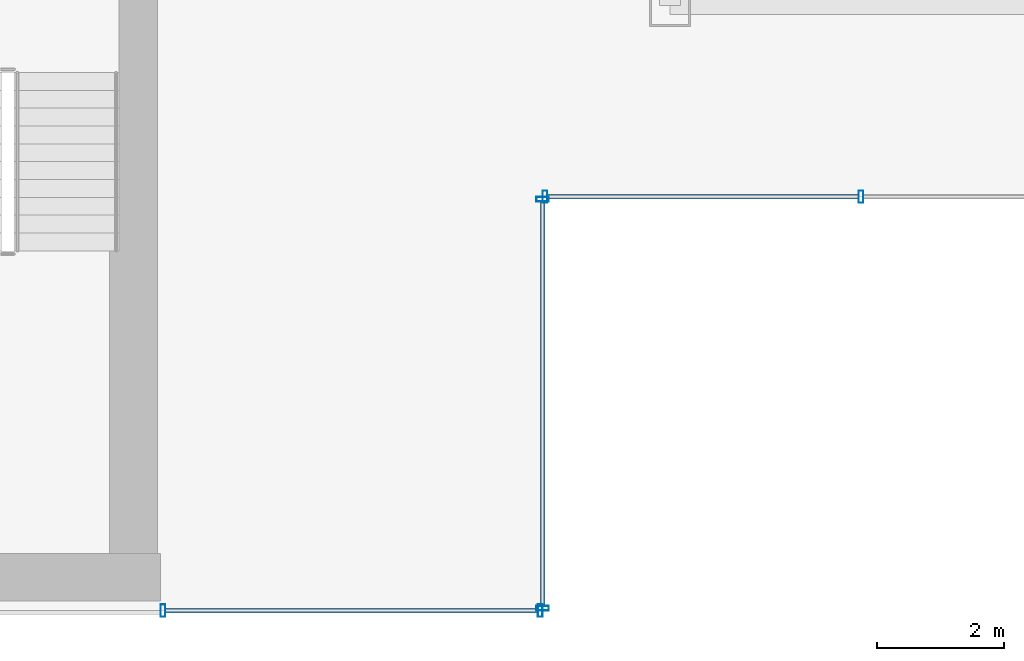
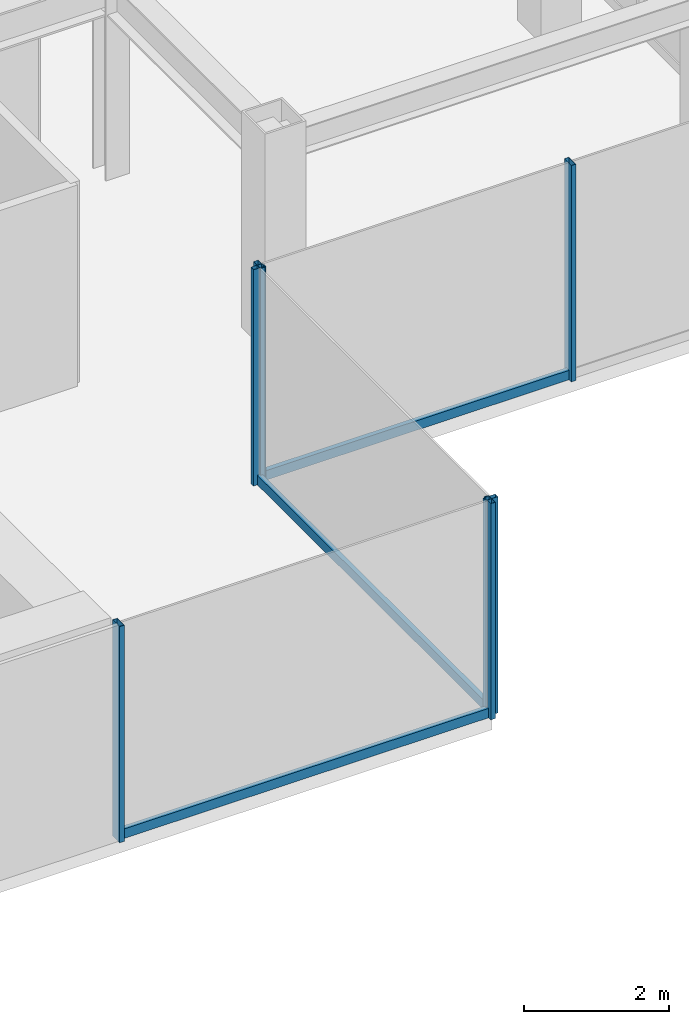
# One storey, part 9 of 25: 9 members, 3 elements without a shape of their own.
"""IFC4 building model written with IfcOpenShell, lengths in metres."""

from ifc_helpers import new_model, si_unit, derived_unit, direction, frame, origin, origin_2d, place, context, subcontext, project, spatial, hollow_rectangle, extrude, source, transform, mapped, material, material_profile, profile_set, type_object, element, aggregate, save


model = new_model("IFC4")

# Units and contexts
model_context = context("Model", 3, precision=1e-05, world=origin(), true_north=direction((0.0, 1.0)))
body_context = subcontext(model_context, "Body", "Model", "MODEL_VIEW")
ifc_project = project(units=[si_unit("LENGTHUNIT", "METRE"), si_unit("AREAUNIT", "SQUARE_METRE"), si_unit("VOLUMEUNIT", "CUBIC_METRE"), si_unit("PLANEANGLEUNIT", "RADIAN"), si_unit("MASSUNIT", "GRAM", prefix="KILO"), derived_unit("THERMALTRANSMITTANCEUNIT", [(si_unit("POWERUNIT", "WATT"), 1), (si_unit("LENGTHUNIT", "METRE"), -2), (si_unit("THERMODYNAMICTEMPERATUREUNIT", "KELVIN"), -1)])], contexts=[model_context])

# Site, building, storey
site_placement = place(None, origin())
site = spatial("IfcSite", under=ifc_project, at=site_placement, CompositionType="ELEMENT")
building_placement = place(site_placement, origin())
building = spatial("IfcBuilding", under=site, at=building_placement, Name="Skarnbrae Concourse Arena and Tower", CompositionType="ELEMENT")
storey_placement = place(building_placement, frame((0.0, 0.0, 162.5)))
storey = spatial("IfcBuildingStorey", under=building, at=storey_placement, Name="L41", CompositionType="ELEMENT", Elevation=162.5)

# Curtain wall, member
ifc_material = material(Name="Bronze anodised aluminium 6063-T6", Category="aluminium")
curtain_wall_type = type_object("IfcCurtainWallType", Name="CW-SYS-04-MIDZONE", PredefinedType="USERDEFINED", material=ifc_material)
curtain_wall_1_placement = place(storey_placement, origin())
curtain_wall_1 = element("IfcCurtainWall", 1, at=curtain_wall_1_placement, inside=storey, type_object=curtain_wall_type, Name="L41 Unitised curtain wall CW-L41-E03", ObjectType="UNITISED CURTAIN WALL", PredefinedType="USERDEFINED")
ifc_material_profile_1 = material_profile(ifc_material, hollow_rectangle(XDim=0.074951171875, YDim=0.159912109375, WallThickness=0.00439453125, at=origin_2d()), Name="ALU-TRAN-75X160")
ifc_profile_set_1 = profile_set([ifc_material_profile_1], Name="Bronze anodised aluminium 6063-T6")
member_type_1 = type_object("IfcMemberType", Name="CWT-CW-04", PredefinedType="USERDEFINED", material=ifc_profile_set_1)
shared_shape_1 = source(origin(), body_context, "Body", "SweptSolid", [
    extrude(hollow_rectangle(XDim=0.074951171875, YDim=0.159912109375, WallThickness=0.00439453125, at=origin_2d()), origin(), (0.0, 0.0, 1.0), 4.887451171875),
])
member_1_placement = place(storey_placement, frame((40.074951171875, 6.5, 0.080078125), z_axis=(1.0, 0.0, 0.0), x_axis=(0.0, 1.0, 0.0)))
member_1 = element("IfcMember", 2, at=member_1_placement, type_object=member_type_1, Name="CW-L41-E03 Transom 1", ObjectType="TRANSOM", PredefinedType="USERDEFINED", context=body_context, shape_type="MappedRepresentation", body=[
    mapped(shared_shape_1, transform((0.0, 0.0, 0.0))),
])

# Curtain wall, members
curtain_wall_2_placement = place(storey_placement, origin())
curtain_wall_2 = element("IfcCurtainWall", 3, at=curtain_wall_2_placement, inside=storey, type_object=curtain_wall_type, Name="L41 Unitised curtain wall CW-L41-SE-SPINE", ObjectType="UNITISED CURTAIN WALL", PredefinedType="USERDEFINED")
ifc_material_profile_2 = material_profile(ifc_material, hollow_rectangle(XDim=0.074951171875, YDim=0.195068359375, WallThickness=0.00439453125, at=origin_2d()), Name="ALU-MULL-75X195")
ifc_profile_set_2 = profile_set([ifc_material_profile_2], Name="Bronze anodised aluminium 6063-T6")
member_type_2 = type_object("IfcMemberType", Name="CWM-CW-04", PredefinedType="MULLION", material=ifc_profile_set_2)
shared_shape_2 = source(origin(), body_context, "Body", "SweptSolid", [
    extrude(hollow_rectangle(XDim=0.074951171875, YDim=0.195068359375, WallThickness=0.00439453125, at=origin_2d()), origin(), (0.0, 0.0, 1.0), 3.64990234375),
])
member_2_placement = place(storey_placement, frame((34.03759765625, 0.0, 0.0), z_axis=(0.0, 0.0, 1.0), x_axis=(1.0, 0.0, 0.0)))
member_2 = element("IfcMember", 4, at=member_2_placement, type_object=member_type_2, Name="CW-L41-SE-SPINE Mullion 1", PredefinedType="MULLION", context=body_context, shape_type="MappedRepresentation", body=[
    mapped(shared_shape_2, transform((0.0, 0.0, 0.0))),
])
member_3_placement = place(storey_placement, frame((39.96240234375, 0.0, 0.0), z_axis=(0.0, 0.0, 1.0), x_axis=(1.0, 0.0, 0.0)))
member_3 = element("IfcMember", 5, at=member_3_placement, type_object=member_type_2, Name="CW-L41-SE-SPINE Mullion 2", PredefinedType="MULLION", context=body_context, shape_type="MappedRepresentation", body=[
    mapped(shared_shape_2, transform((0.0, 0.0, 0.0))),
])

curtain_wall_3_placement = place(storey_placement, origin())
curtain_wall_3 = element("IfcCurtainWall", 6, at=curtain_wall_3_placement, inside=storey, type_object=curtain_wall_type, Name="L41 Unitised curtain wall CW-L41-E02", ObjectType="UNITISED CURTAIN WALL", PredefinedType="USERDEFINED")
member_4_placement = place(storey_placement, frame((40.0, 0.03759765625, 0.0), z_axis=(0.0, 0.0, 1.0), x_axis=(0.0, 1.0, 0.0)))
member_4 = element("IfcMember", 7, at=member_4_placement, type_object=member_type_2, Name="CW-L41-E02 Mullion 1", PredefinedType="MULLION", context=body_context, shape_type="MappedRepresentation", body=[
    mapped(shared_shape_2, transform((0.0, 0.0, 0.0))),
])
member_5_placement = place(storey_placement, frame((40.0, 6.46240234375, 0.0), z_axis=(0.0, 0.0, 1.0), x_axis=(0.0, 1.0, 0.0)))
member_5 = element("IfcMember", 8, at=member_5_placement, type_object=member_type_2, Name="CW-L41-E02 Mullion 2", PredefinedType="MULLION", context=body_context, shape_type="MappedRepresentation", body=[
    mapped(shared_shape_2, transform((0.0, 0.0, 0.0))),
])

# Member
member_6_placement = place(storey_placement, frame((40.03759765625, 6.5, 0.0), z_axis=(0.0, 0.0, 1.0), x_axis=(1.0, 0.0, 0.0)))
member_6 = element("IfcMember", 9, at=member_6_placement, type_object=member_type_2, Name="CW-L41-E03 Mullion 1", PredefinedType="MULLION", context=body_context, shape_type="MappedRepresentation", body=[
    mapped(shared_shape_2, transform((0.0, 0.0, 0.0))),
])

member_7_placement = place(storey_placement, frame((45.0, 6.5, 0.0), z_axis=(0.0, 0.0, 1.0), x_axis=(1.0, 0.0, 0.0)))
member_7 = element("IfcMember", 10, at=member_7_placement, type_object=member_type_2, Name="CW-L41-E03 Mullion 2", PredefinedType="MULLION", context=body_context, shape_type="MappedRepresentation", body=[
    mapped(shared_shape_2, transform((0.0, 0.0, 0.0))),
])

aggregate(curtain_wall_1, [member_6, member_7, member_1])

shared_shape_3 = source(origin(), body_context, "Body", "SweptSolid", [
    extrude(hollow_rectangle(XDim=0.074951171875, YDim=0.159912109375, WallThickness=0.00439453125, at=origin_2d()), origin(), (0.0, 0.0, 1.0), 5.85009765625),
])
member_8_placement = place(storey_placement, frame((34.074951171875, 0.0, 0.080078125), z_axis=(1.0, 0.0, 0.0), x_axis=(0.0, 1.0, 0.0)))
member_8 = element("IfcMember", 11, at=member_8_placement, type_object=member_type_1, Name="CW-L41-SE-SPINE Transom 1", ObjectType="TRANSOM", PredefinedType="USERDEFINED", context=body_context, shape_type="MappedRepresentation", body=[
    mapped(shared_shape_3, transform((0.0, 0.0, 0.0))),
])

aggregate(curtain_wall_2, [member_2, member_3, member_8])

shared_shape_4 = source(origin(), body_context, "Body", "SweptSolid", [
    extrude(hollow_rectangle(XDim=0.074951171875, YDim=0.159912109375, WallThickness=0.00439453125, at=origin_2d()), origin(), (0.0, 0.0, 1.0), 6.35009765625),
])
member_9_placement = place(storey_placement, frame((40.0, 0.074951171875, 0.080078125), z_axis=(0.0, 1.0, 0.0), x_axis=(-1.0, 0.0, 0.0)))
member_9 = element("IfcMember", 12, at=member_9_placement, type_object=member_type_1, Name="CW-L41-E02 Transom 1", ObjectType="TRANSOM", PredefinedType="USERDEFINED", context=body_context, shape_type="MappedRepresentation", body=[
    mapped(shared_shape_4, transform((0.0, 0.0, 0.0))),
])

aggregate(curtain_wall_3, [member_4, member_5, member_9])

save(model, "model.ifc")
